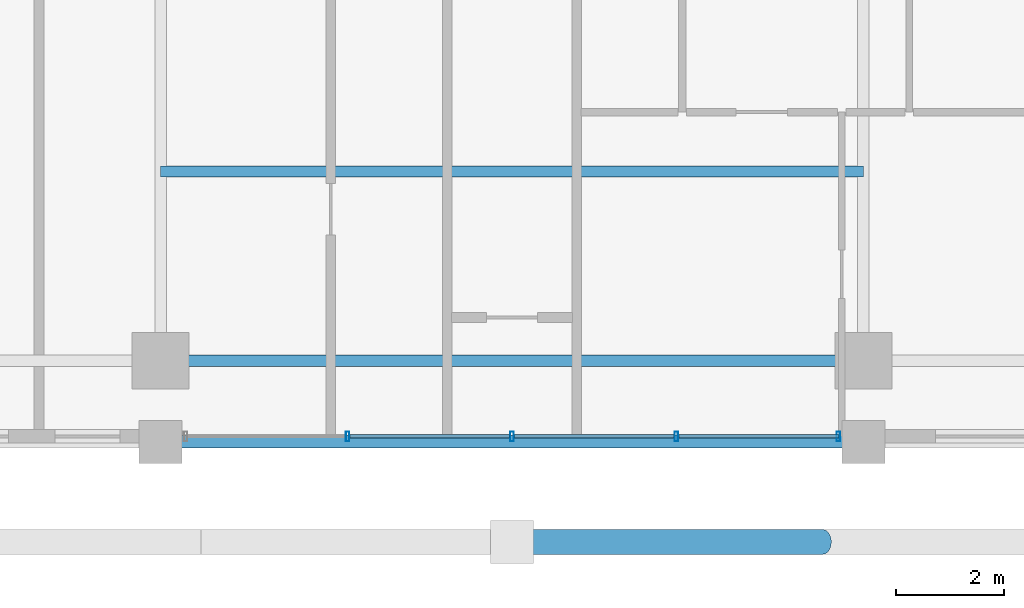
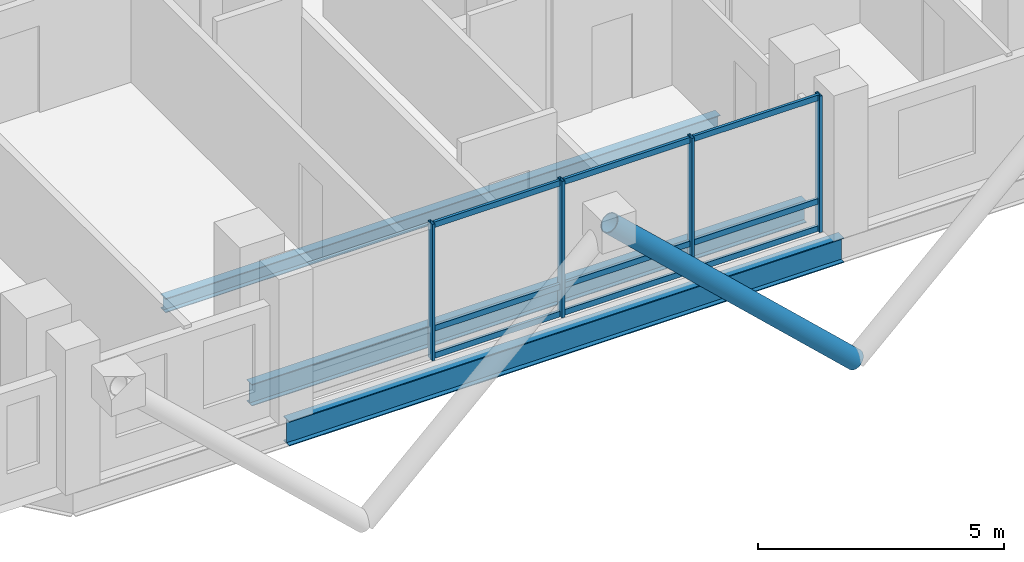
# One storey, part 4 of 24: 14 members, 3 beams, 1 element without a shape of its own.
"""IFC4 building model written with IfcOpenShell, lengths in metres."""

import ifcopenshell
import ifcopenshell.guid

model = None  # the IFC model being written
_history = None  # IfcOwnerHistory: only IFC2X3 demands one
_inside = {}  # id of a spatial element -> (the spatial element, [elements in it])
_under = {}  # id of a project, library or spatial element -> (it, [spatial elements below it])
_declared = {}  # id of a project -> (the project, [libraries it declares])
_typed = {}  # id of a type object -> (the type object, [elements of that type])
_made_of = {}  # id of a material, layer set ... -> (it, [elements and type objects made of it])


def new_model(schema):
    """Start an empty IFC model of exactly this schema.

    Asked for "IFC4X3", IfcOpenShell would pick the latest addendum, in which some entities
    have other attributes; the version numbers below select the first issue.
    IFC2X3 requires an IfcOwnerHistory on every rooted entity: one is made here for all.
    """
    global model, _history
    if schema == "IFC4X3":
        model = ifcopenshell.file(schema_version=(4, 3, 0, 0))
    else:
        model = ifcopenshell.file(schema=schema)
    _inside.clear()
    _under.clear()
    _declared.clear()
    _typed.clear()
    _made_of.clear()
    _history = None
    if model.schema == "IFC2X3":
        org = make("IfcOrganization", Name="unknown")
        user = make(
            "IfcPersonAndOrganization",
            ThePerson=make("IfcPerson", FamilyName="unknown"),
            TheOrganization=org,
        )
        app = make(
            "IfcApplication",
            ApplicationDeveloper=org,
            Version="unknown",
            ApplicationFullName="unknown",
            ApplicationIdentifier="unknown",
        )
        _history = make(
            "IfcOwnerHistory",
            OwningUser=user,
            OwningApplication=app,
            ChangeAction="ADDED",
            CreationDate=0,
        )
    return model


def make(cls, **values):
    """One entity of the class cls with the attributes given. An attribute that is None is left unset."""
    return model.create_entity(
        cls, **{name: value for name, value in values.items() if value is not None}
    )


def rooted(cls, **values):
    """An entity with a GlobalId (a new one), such as an element, a storey or a relation."""
    return make(cls, GlobalId=ifcopenshell.guid.new(), OwnerHistory=_history, **values)


def si_unit(unit_type, name, prefix=None):
    """IfcSIUnit, for example si_unit("LENGTHUNIT", "METRE", prefix="MILLI")."""
    return make("IfcSIUnit", UnitType=unit_type, Prefix=prefix, Name=name)


def assignment(units):
    """IfcUnitAssignment: the units of a project."""
    return None if units is None else make("IfcUnitAssignment", Units=units)


def point(xyz):
    """IfcCartesianPoint."""
    return None if xyz is None else make("IfcCartesianPoint", Coordinates=xyz)


def direction(xyz):
    """IfcDirection."""
    return None if xyz is None else make("IfcDirection", DirectionRatios=xyz)


def frame(location, z_axis=None, x_axis=None):
    """IfcAxis2Placement3D, a coordinate frame: its origin and axes. An axis left out is left unset."""
    return make(
        "IfcAxis2Placement3D",
        Location=point(location),
        Axis=direction(z_axis),
        RefDirection=direction(x_axis),
    )


def frame_2d(location, x_axis=None):
    """IfcAxis2Placement2D, a coordinate frame in the plane: its origin and x axis."""
    return make(
        "IfcAxis2Placement2D", Location=point(location), RefDirection=direction(x_axis)
    )


def origin():
    """The frame at (0, 0, 0) with its axes left unset."""
    return frame((0.0, 0.0, 0.0))


def origin_2d():
    """The frame at (0, 0) in the plane with its x axis left unset."""
    return frame_2d((0.0, 0.0))


def place(relative_to, where):
    """IfcLocalPlacement: puts the frame where relative to a parent placement (None: the world)."""
    return make(
        "IfcLocalPlacement", PlacementRelTo=relative_to, RelativePlacement=where
    )


def context(
    kind, dimensions, precision=None, world=None, true_north=None, identifier=None
):
    """IfcGeometricRepresentationContext, for example the 3D "Model" context."""
    return make(
        "IfcGeometricRepresentationContext",
        ContextIdentifier=identifier,
        ContextType=kind,
        CoordinateSpaceDimension=dimensions,
        Precision=precision,
        WorldCoordinateSystem=world,
        TrueNorth=true_north,
    )


def subcontext(parent, identifier, kind, view, scale=None):
    """IfcGeometricRepresentationSubContext, for example "Body" below "Model"."""
    return make(
        "IfcGeometricRepresentationSubContext",
        ContextIdentifier=identifier,
        ContextType=kind,
        ParentContext=parent,
        TargetScale=scale,
        TargetView=view,
    )


def project(units=None, contexts=None):
    """IfcProject with its units and contexts."""
    return rooted(
        "IfcProject",
        Name="project",
        RepresentationContexts=contexts,
        UnitsInContext=assignment(units),
    )


def spatial(cls, under=None, at=None, **own):
    """A site, building, storey or space (cls), placed at a placement, below another one or the project."""
    s = rooted(cls, ObjectPlacement=at, **own)
    if under is not None:
        _under.setdefault(under.id(), (under, []))[1].append(s)
    return s


def profile(cls, at=None, kind="AREA", **sizes):
    """A parametric profile (cls). Its sizes go by their IFC names, for example OverallWidth=200.0."""
    return make(cls, ProfileType=kind, Position=at, **sizes)


def hollow_rectangle(**sizes):
    """IfcRectangleHollowProfileDef."""
    return profile("IfcRectangleHollowProfileDef", **sizes)


def hollow_circle(**sizes):
    """IfcCircleHollowProfileDef."""
    return profile("IfcCircleHollowProfileDef", **sizes)


def i_section(**sizes):
    """IfcIShapeProfileDef."""
    return profile("IfcIShapeProfileDef", **sizes)


def extrude(swept, where, along, depth):
    """IfcExtrudedAreaSolid: the profile swept, set in the frame where, extruded along a direction by depth."""
    return make(
        "IfcExtrudedAreaSolid",
        SweptArea=swept,
        Position=where,
        ExtrudedDirection=direction(along),
        Depth=depth,
    )


def shape(context_of_items, identifier, shape_type, items):
    """IfcShapeRepresentation: the items that make up one representation, for example the "Body"."""
    return make(
        "IfcShapeRepresentation",
        ContextOfItems=context_of_items,
        RepresentationIdentifier=identifier,
        RepresentationType=shape_type,
        Items=items,
    )


def material(Name=None, Category=None):
    """IfcMaterial."""
    return make("IfcMaterial", Name=Name, Category=Category)


def layer(
    of_material, thickness, ventilated=None, Name=None, Category=None, Priority=None
):
    """IfcMaterialLayer: one layer of a wall or slab, of a material (None: an air gap)."""
    return make(
        "IfcMaterialLayer",
        Material=of_material,
        LayerThickness=thickness,
        IsVentilated=ventilated,
        Name=Name,
        Category=Category,
        Priority=Priority,
    )


def layer_set(layers, Name=None):
    """IfcMaterialLayerSet."""
    return make("IfcMaterialLayerSet", MaterialLayers=layers, LayerSetName=Name)


def material_profile(
    of_material, cross_section, Name=None, Category=None, Priority=None
):
    """IfcMaterialProfile: a cross section and its material."""
    return make(
        "IfcMaterialProfile",
        Name=Name,
        Material=of_material,
        Profile=cross_section,
        Priority=Priority,
        Category=Category,
    )


def profile_set(profiles, Name=None, composite=None):
    """IfcMaterialProfileSet."""
    return make(
        "IfcMaterialProfileSet",
        Name=Name,
        MaterialProfiles=profiles,
        CompositeProfile=composite,
    )


def made_of(thing, what):
    """Note that an element or type object is made of a material, layer set ...; save() writes the relation."""
    if what is not None:
        _made_of.setdefault(what.id(), (what, []))[1].append(thing)
    return thing


def type_object(cls, material=None, **own):
    """A type object (cls), such as IfcWallType, which elements share."""
    return made_of(rooted(cls, **own), material)


def element(
    cls,
    number,
    at=None,
    inside=None,
    cuts=None,
    type_object=None,
    material=None,
    context=None,
    identifier="Body",
    shape_type=None,
    held_by="IfcProductDefinitionShape",
    body=None,
    shapes=None,
    **own,
):
    """One element of the class cls, such as IfcWall. Its Tag is "e" and its number.

    at: its placement. inside: the storey or other place that contains it. cuts: it is an
    opening in that element (IfcRelVoidsElement). A single representation is given by context,
    identifier, shape_type and body (its items); several are given by shapes. held_by: the class
    of the entity that holds the representations. save() writes the other relations.
    """
    e = rooted(cls, Tag="e%d" % number, ObjectPlacement=at, **own)
    if body is not None:
        shapes = [shape(context, identifier, shape_type, body)]
    if shapes is not None:
        e.Representation = make(held_by, Representations=shapes)
    if inside is not None:
        _inside.setdefault(inside.id(), (inside, []))[1].append(e)
    if cuts is not None:
        rooted(
            "IfcRelVoidsElement", RelatingBuildingElement=cuts, RelatedOpeningElement=e
        )
    if type_object is not None:
        _typed.setdefault(type_object.id(), (type_object, []))[1].append(e)
    return made_of(e, material)


def aggregate(whole, parts):
    """IfcRelAggregates: a whole, such as a stair, and the parts it consists of."""
    return rooted("IfcRelAggregates", RelatingObject=whole, RelatedObjects=parts)


def save(model, path):
    """Write the relations noted so far, then the file.

    IfcRelAggregates (storeys below a building ...), IfcRelContainedInSpatialStructure (elements
    in a storey), IfcRelDefinesByType, IfcRelAssociatesMaterial and IfcRelDeclares: one each for
    every whole, place, type object, material and project.
    """
    for whole, parts in _under.values():
        aggregate(whole, parts)
    for where, things in _inside.values():
        rooted(
            "IfcRelContainedInSpatialStructure",
            RelatedElements=things,
            RelatingStructure=where,
        )
    for kind, things in _typed.values():
        rooted("IfcRelDefinesByType", RelatedObjects=things, RelatingType=kind)
    for what, things in _made_of.values():
        rooted("IfcRelAssociatesMaterial", RelatedObjects=things, RelatingMaterial=what)
    for by, libraries in _declared.values():
        rooted("IfcRelDeclares", RelatingContext=by, RelatedDefinitions=libraries)
    model.write(path)


model = new_model("IFC4")

# Units and contexts
model_context = context("Model", 3, precision=1e-05, world=origin(), true_north=direction((0.0, 1.0)))
body_context = subcontext(model_context, "Body", "Model", "MODEL_VIEW")
ifc_project = project(units=[si_unit("LENGTHUNIT", "METRE"), si_unit("AREAUNIT", "SQUARE_METRE"), si_unit("VOLUMEUNIT", "CUBIC_METRE"), si_unit("PLANEANGLEUNIT", "RADIAN"), si_unit("MASSUNIT", "GRAM", prefix="KILO")], contexts=[model_context])

# Site, building, storey
site_placement = place(None, origin())
site = spatial("IfcSite", under=ifc_project, at=site_placement, CompositionType="ELEMENT")
building_placement = place(site_placement, origin())
building = spatial("IfcBuilding", under=site, at=building_placement, Name="Barlavira Tower and Art Museum", CompositionType="ELEMENT")
storey_placement = place(building_placement, frame((0.0, 0.0, 183.60009765625)))
storey = spatial("IfcBuildingStorey", under=building, at=storey_placement, Name="L47", CompositionType="ELEMENT", Elevation=183.60009765625)

# Curtain wall, members
ifc_material_1 = material(Name="Low-iron coastal laminated glass", Category="glass")
ifc_layer = layer(ifc_material_1, 0.199951171875, Name="Low-iron coastal laminated glass")
ifc_layer_set = layer_set([ifc_layer], Name="Low-iron coastal laminated glass")
curtain_wall_type = type_object("IfcCurtainWallType", Name="Pale-Metal Unitised Curtain Wall Zone 3", PredefinedType="NOTDEFINED", material=ifc_layer_set)
curtain_wall_placement = place(storey_placement, origin())
curtain_wall = element("IfcCurtainWall", 1, at=curtain_wall_placement, inside=storey, type_object=curtain_wall_type, Name="L47 Curtain Wall CW3-L47-S-B3", PredefinedType="NOTDEFINED")
ifc_material_2 = material(Name="Pale anodised aluminium", Category="aluminium")
ifc_material_profile_1 = material_profile(ifc_material_2, hollow_rectangle(XDim=0.06494140625, YDim=0.179931640625, WallThickness=0.00390625, at=origin_2d()), Name="ALU-MULL 65x180x4")
ifc_profile_set_1 = profile_set([ifc_material_profile_1], Name="Pale anodised aluminium")
member_type_1 = type_object("IfcMemberType", Name="Curtain Wall Pale-Metal Mullion 65x180", PredefinedType="MULLION", material=ifc_profile_set_1)
member_1_placement = place(storey_placement, frame((-3.0400390625, -21.39990234375, 0.0), z_axis=(0.0, 0.0, 1.0), x_axis=(1.0, 0.0, 0.0)))
member_1 = element("IfcMember", 2, at=member_1_placement, type_object=member_type_1, Name="CW3-L47-S-B3 Mullion 1", PredefinedType="MULLION", context=body_context, shape_type="SweptSolid", body=[
    extrude(hollow_rectangle(XDim=0.06494140625, YDim=0.179931640625, WallThickness=0.00390625, at=origin_2d()), origin(), (0.0, 0.0, 1.0), 3.3798828125),
])
member_2_placement = place(storey_placement, frame((0.0, -21.39990234375, 0.0), z_axis=(0.0, 0.0, 1.0), x_axis=(1.0, 0.0, 0.0)))
member_2 = element("IfcMember", 3, at=member_2_placement, type_object=member_type_1, Name="CW3-L47-S-B3 Mullion 2", PredefinedType="MULLION", context=body_context, shape_type="SweptSolid", body=[
    extrude(hollow_rectangle(XDim=0.06494140625, YDim=0.179931640625, WallThickness=0.00390625, at=origin_2d()), origin(), (0.0, 0.0, 1.0), 3.3798828125),
])
member_3_placement = place(storey_placement, frame((3.0400390625, -21.39990234375, 0.0), z_axis=(0.0, 0.0, 1.0), x_axis=(1.0, 0.0, 0.0)))
member_3 = element("IfcMember", 4, at=member_3_placement, type_object=member_type_1, Name="CW3-L47-S-B3 Mullion 3", PredefinedType="MULLION", context=body_context, shape_type="SweptSolid", body=[
    extrude(hollow_rectangle(XDim=0.06494140625, YDim=0.179931640625, WallThickness=0.00390625, at=origin_2d()), origin(), (0.0, 0.0, 1.0), 3.3798828125),
])
member_4_placement = place(storey_placement, frame((6.034912109375, -21.39990234375, 0.0), z_axis=(0.0, 0.0, 1.0), x_axis=(1.0, 0.0, 0.0)))
member_4 = element("IfcMember", 5, at=member_4_placement, type_object=member_type_1, Name="CW3-L47-S-B3 Mullion 4", PredefinedType="MULLION", context=body_context, shape_type="SweptSolid", body=[
    extrude(hollow_rectangle(XDim=0.06494140625, YDim=0.179931640625, WallThickness=0.00390625, at=origin_2d()), origin(), (0.0, 0.0, 1.0), 3.3798828125),
])
ifc_material_profile_2 = material_profile(ifc_material_2, hollow_rectangle(XDim=0.06494140625, YDim=0.139892578125, WallThickness=0.00390625, at=origin_2d()), Name="ALU-TRAN 65x140x4")
ifc_profile_set_2 = profile_set([ifc_material_profile_2], Name="Pale anodised aluminium")
member_type_2 = type_object("IfcMemberType", Name="Curtain Wall Pale-Metal Transom 65x140", PredefinedType="USERDEFINED", material=ifc_profile_set_2)
member_5_placement = place(storey_placement, frame((-2.9951171875, -21.39990234375, 0.06982421875), z_axis=(1.0, 0.0, 0.0), x_axis=(0.0, 1.0, 0.0)))
member_5 = element("IfcMember", 6, at=member_5_placement, type_object=member_type_2, Name="CW3-L47-S-B3 Transom 1.1", ObjectType="TRANSOM", PredefinedType="USERDEFINED", context=body_context, shape_type="SweptSolid", body=[
    extrude(hollow_rectangle(XDim=0.06494140625, YDim=0.139892578125, WallThickness=0.00390625, at=origin_2d()), origin(), (0.0, 0.0, 1.0), 2.9501953125),
])
member_6_placement = place(storey_placement, frame((-2.9951171875, -21.39990234375, 0.743896484375), z_axis=(1.0, 0.0, 0.0), x_axis=(0.0, 1.0, 0.0)))
member_6 = element("IfcMember", 7, at=member_6_placement, type_object=member_type_2, Name="CW3-L47-S-B3 Transom 1.2", ObjectType="TRANSOM", PredefinedType="USERDEFINED", context=body_context, shape_type="SweptSolid", body=[
    extrude(hollow_rectangle(XDim=0.06494140625, YDim=0.139892578125, WallThickness=0.00390625, at=origin_2d()), origin(), (0.0, 0.0, 1.0), 2.9501953125),
])
member_7_placement = place(storey_placement, frame((-2.9951171875, -21.39990234375, 3.309814453125), z_axis=(1.0, 0.0, 0.0), x_axis=(0.0, 1.0, 0.0)))
member_7 = element("IfcMember", 8, at=member_7_placement, type_object=member_type_2, Name="CW3-L47-S-B3 Transom 1.3", ObjectType="TRANSOM", PredefinedType="USERDEFINED", context=body_context, shape_type="SweptSolid", body=[
    extrude(hollow_rectangle(XDim=0.06494140625, YDim=0.139892578125, WallThickness=0.00390625, at=origin_2d()), origin(), (0.0, 0.0, 1.0), 2.9501953125),
])
member_8_placement = place(storey_placement, frame((0.044921875, -21.39990234375, 0.06982421875), z_axis=(1.0, 0.0, 0.0), x_axis=(0.0, 1.0, 0.0)))
member_8 = element("IfcMember", 9, at=member_8_placement, type_object=member_type_2, Name="CW3-L47-S-B3 Transom 2.1", ObjectType="TRANSOM", PredefinedType="USERDEFINED", context=body_context, shape_type="SweptSolid", body=[
    extrude(hollow_rectangle(XDim=0.06494140625, YDim=0.139892578125, WallThickness=0.00390625, at=origin_2d()), origin(), (0.0, 0.0, 1.0), 2.9501953125),
])
member_9_placement = place(storey_placement, frame((0.044921875, -21.39990234375, 0.743896484375), z_axis=(1.0, 0.0, 0.0), x_axis=(0.0, 1.0, 0.0)))
member_9 = element("IfcMember", 10, at=member_9_placement, type_object=member_type_2, Name="CW3-L47-S-B3 Transom 2.2", ObjectType="TRANSOM", PredefinedType="USERDEFINED", context=body_context, shape_type="SweptSolid", body=[
    extrude(hollow_rectangle(XDim=0.06494140625, YDim=0.139892578125, WallThickness=0.00390625, at=origin_2d()), origin(), (0.0, 0.0, 1.0), 2.9501953125),
])
member_10_placement = place(storey_placement, frame((0.044921875, -21.39990234375, 3.309814453125), z_axis=(1.0, 0.0, 0.0), x_axis=(0.0, 1.0, 0.0)))
member_10 = element("IfcMember", 11, at=member_10_placement, type_object=member_type_2, Name="CW3-L47-S-B3 Transom 2.3", ObjectType="TRANSOM", PredefinedType="USERDEFINED", context=body_context, shape_type="SweptSolid", body=[
    extrude(hollow_rectangle(XDim=0.06494140625, YDim=0.139892578125, WallThickness=0.00390625, at=origin_2d()), origin(), (0.0, 0.0, 1.0), 2.9501953125),
])
member_11_placement = place(storey_placement, frame((3.0849609375, -21.39990234375, 0.06982421875), z_axis=(1.0, 0.0, 0.0), x_axis=(0.0, 1.0, 0.0)))
member_11 = element("IfcMember", 12, at=member_11_placement, type_object=member_type_2, Name="CW3-L47-S-B3 Transom 3.1", ObjectType="TRANSOM", PredefinedType="USERDEFINED", context=body_context, shape_type="SweptSolid", body=[
    extrude(hollow_rectangle(XDim=0.06494140625, YDim=0.139892578125, WallThickness=0.00390625, at=origin_2d()), origin(), (0.0, 0.0, 1.0), 2.949951171875),
])
member_12_placement = place(storey_placement, frame((3.0849609375, -21.39990234375, 0.743896484375), z_axis=(1.0, 0.0, 0.0), x_axis=(0.0, 1.0, 0.0)))
member_12 = element("IfcMember", 13, at=member_12_placement, type_object=member_type_2, Name="CW3-L47-S-B3 Transom 3.2", ObjectType="TRANSOM", PredefinedType="USERDEFINED", context=body_context, shape_type="SweptSolid", body=[
    extrude(hollow_rectangle(XDim=0.06494140625, YDim=0.139892578125, WallThickness=0.00390625, at=origin_2d()), origin(), (0.0, 0.0, 1.0), 2.949951171875),
])
member_13_placement = place(storey_placement, frame((3.0849609375, -21.39990234375, 3.309814453125), z_axis=(1.0, 0.0, 0.0), x_axis=(0.0, 1.0, 0.0)))
member_13 = element("IfcMember", 14, at=member_13_placement, type_object=member_type_2, Name="CW3-L47-S-B3 Transom 3.3", ObjectType="TRANSOM", PredefinedType="USERDEFINED", context=body_context, shape_type="SweptSolid", body=[
    extrude(hollow_rectangle(XDim=0.06494140625, YDim=0.139892578125, WallThickness=0.00390625, at=origin_2d()), origin(), (0.0, 0.0, 1.0), 2.949951171875),
])
aggregate(curtain_wall, [member_1, member_2, member_3, member_4, member_5, member_6, member_7, member_8, member_9, member_10, member_11, member_12, member_13])

# Member
ifc_material_3 = material(Name="Steel S355", Category="steel")
ifc_material_profile_3 = material_profile(ifc_material_3, hollow_circle(Radius=0.228515625, WallThickness=0.02001953125, at=origin_2d()), Name="CHS 457.0x20.0")
ifc_profile_set_3 = profile_set([ifc_material_profile_3], Name="Steel S355")
member_type_3 = type_object("IfcMemberType", Name="Pale-Metal Exoskeleton Diagrid Tube CHS 457x20 Steel S355", PredefinedType="BRACE", material=ifc_profile_set_3)
member_14_placement = place(storey_placement, frame((5.75, -23.35009765625, -1.920166015625), z_axis=(-0.728934650808, 0.0, 0.684583285548), x_axis=(0.0, -1.0, 0.0)))
element("IfcMember", 15, at=member_14_placement, inside=storey, type_object=member_type_3, Name="L47 Exoskeleton Diagrid Tube S", PredefinedType="BRACE", context=body_context, shape_type="SweptSolid", body=[
    extrude(hollow_circle(Radius=0.228515625, WallThickness=0.02001953125, at=origin_2d()), origin(), (0.0, 0.0, 1.0), 7.88818359375),
])

# Beams
ifc_material_profile_4 = material_profile(ifc_material_3, i_section(OverallWidth=0.22998046875, OverallDepth=0.616943359375, WebThickness=0.01318359375, FlangeThickness=0.022216796875, at=origin_2d()), Name="W610x140.0")
ifc_profile_set_4 = profile_set([ifc_material_profile_4], Name="Steel S355")
beam_type_1 = type_object("IfcBeamType", Name="Upper Shaft Spandrel Edge Beam W610x140 Steel S355", PredefinedType="SPANDREL", material=ifc_profile_set_4)
beam_1_placement = place(storey_placement, frame((-6.5, -21.5, -0.528564453125), z_axis=(1.0, 0.0, 0.0), x_axis=(0.0, 1.0, 0.0)))
element("IfcBeam", 16, at=beam_1_placement, inside=storey, type_object=beam_type_1, Name="L47 Spandrel 2", PredefinedType="SPANDREL", context=body_context, shape_type="SweptSolid", body=[
    extrude(i_section(OverallWidth=0.22998046875, OverallDepth=0.616943359375, WebThickness=0.01318359375, FlangeThickness=0.022216796875, at=origin_2d()), origin(), (0.0, 0.0, 1.0), 13.0),
])
ifc_material_profile_5 = material_profile(ifc_material_3, i_section(OverallWidth=0.205078125, OverallDepth=0.35400390625, WebThickness=0.009521484375, FlangeThickness=0.016845703125, at=origin_2d()), Name="W360x79.0")
ifc_profile_set_5 = profile_set([ifc_material_profile_5], Name="Steel S355")
beam_type_2 = type_object("IfcBeamType", Name="Zone 3 Composite Floor Joist W360x79 Steel S355", PredefinedType="JOIST", material=ifc_profile_set_5)
beam_2_placement = place(storey_placement, frame((-6.5, -16.5, -0.397216796875), z_axis=(1.0, 0.0, 0.0), x_axis=(0.0, 1.0, 0.0)))
element("IfcBeam", 17, at=beam_2_placement, inside=storey, type_object=beam_type_2, Name="L47 Joist C1", PredefinedType="JOIST", context=body_context, shape_type="SweptSolid", body=[
    extrude(i_section(OverallWidth=0.205078125, OverallDepth=0.35400390625, WebThickness=0.009521484375, FlangeThickness=0.016845703125, at=origin_2d()), origin(), (0.0, 0.0, 1.0), 13.0),
])
ifc_material_profile_6 = material_profile(ifc_material_3, i_section(OverallWidth=0.2109375, OverallDepth=0.5390625, WebThickness=0.01171875, FlangeThickness=0.018798828125, at=origin_2d()), Name="W530x109.0")
ifc_profile_set_6 = profile_set([ifc_material_profile_6], Name="Steel S355")
beam_type_3 = type_object("IfcBeamType", Name="Zone 3-4 Primary Floor Girder W530x109 Steel S355", PredefinedType="BEAM", material=ifc_profile_set_6)
beam_3_placement = place(storey_placement, frame((-6.5, -20.0, -0.489501953125), z_axis=(1.0, 0.0, 0.0), x_axis=(0.0, 1.0, 0.0)))
element("IfcBeam", 18, at=beam_3_placement, inside=storey, type_object=beam_type_3, Name="L47 Girder M-S2", PredefinedType="BEAM", context=body_context, shape_type="SweptSolid", body=[
    extrude(i_section(OverallWidth=0.2109375, OverallDepth=0.5390625, WebThickness=0.01171875, FlangeThickness=0.018798828125, at=origin_2d()), origin(), (0.0, 0.0, 1.0), 13.0),
])

save(model, "model.ifc")
